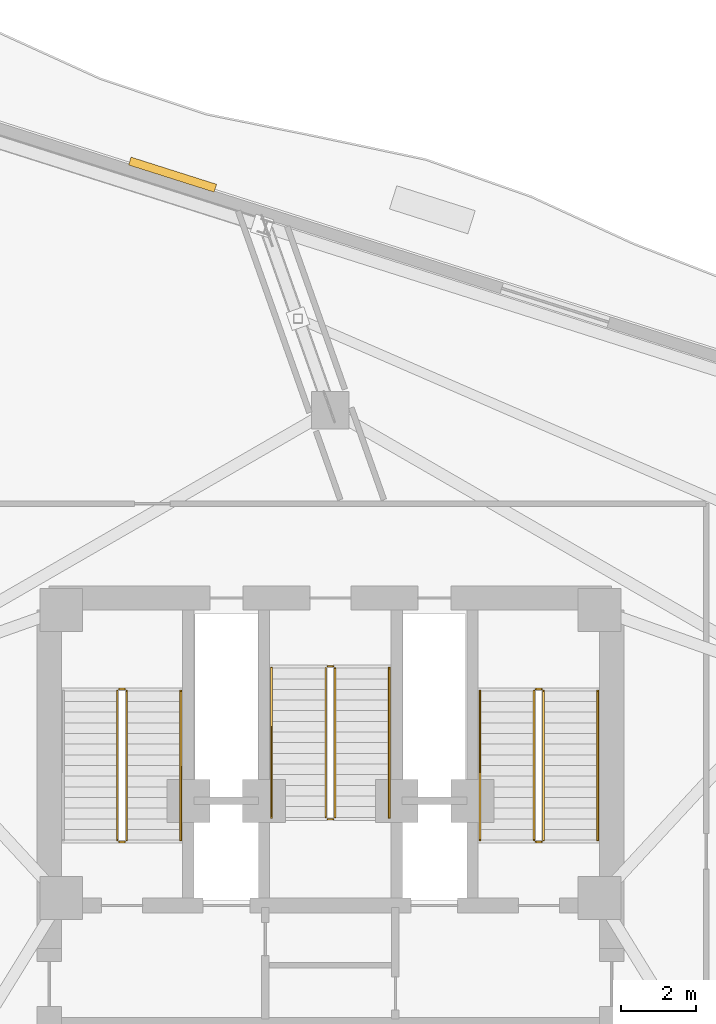
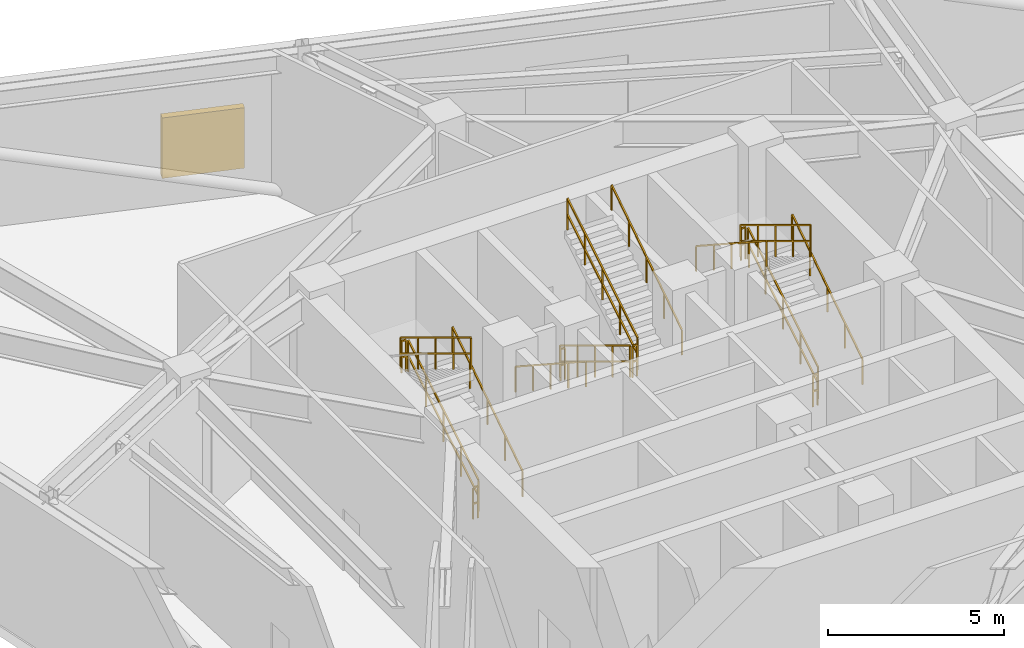
# One storey, part 15 of 16: 17 railings, 1 shading device.
"""IFC4 building model written with IfcOpenShell, lengths in metres."""

from ifc_helpers import new_model, si_unit, direction, frame, origin, origin_2d, place, context, subcontext, project, spatial, rectangle, extrude, material, type_object, element, save


model = new_model("IFC4")

# Units and contexts
model_context = context("Model", 3, precision=1e-05, world=origin(), true_north=direction((0.0, 1.0)))
body_context = subcontext(model_context, "Body", "Model", "MODEL_VIEW")
ifc_project = project(units=[si_unit("LENGTHUNIT", "METRE"), si_unit("AREAUNIT", "SQUARE_METRE"), si_unit("VOLUMEUNIT", "CUBIC_METRE"), si_unit("PLANEANGLEUNIT", "RADIAN"), si_unit("MASSUNIT", "GRAM", prefix="KILO")], contexts=[model_context])

# Site, building, storey
site_placement = place(None, origin())
site = spatial("IfcSite", under=ifc_project, at=site_placement, CompositionType="ELEMENT")
building_placement = place(site_placement, origin())
building = spatial("IfcBuilding", under=site, at=building_placement, Name="Apsidion Concourse Tower", CompositionType="ELEMENT")
storey_placement = place(building_placement, frame((0.0, 0.0, 227.0)))
storey = spatial("IfcBuildingStorey", under=building, at=storey_placement, Name="L53", CompositionType="ELEMENT", Elevation=227.0)

# Railings
ifc_material_1 = material(Name="Brushed stainless steel 316", Category="steel")
railing_type_1 = type_object("IfcRailingType", Name="RL-GUARD-1100", PredefinedType="GUARDRAIL", material=ifc_material_1)
railing_1_placement = place(storey_placement, frame((-5.449951171875, 3.0, 0.17333984375)))
element("IfcRailing", 1, at=railing_1_placement, inside=storey, type_object=railing_type_1, Name="L53 ST1 stair guard 1", PredefinedType="GUARDRAIL", context=body_context, shape_type="SweptSolid", body=[
    extrude(rectangle(XDim=0.048095703125, YDim=0.048095703125, at=origin_2d()), frame((0.0, 0.0, 1.09619140625), z_axis=(0.0, 0.854382233033, 0.519645071061), x_axis=(-1.0, 0.0, 0.0)), (0.0, 0.0, 1.0), 4.669921875),
    extrude(rectangle(XDim=0.048095703125, YDim=0.048095703125, at=origin_2d()), frame((0.0, 0.0, 0.5361328125), z_axis=(0.0, 0.854382233033, 0.519645071061), x_axis=(-1.0, 0.0, 0.0)), (0.0, 0.0, 1.0), 4.669921875),
    extrude(rectangle(XDim=0.0419921875, YDim=0.0419921875, at=origin_2d()), origin(), (0.0, 0.0, 1.0), 1.072021484375),
    extrude(rectangle(XDim=0.0419921875, YDim=0.0419921875, at=origin_2d()), frame((0.0, 0.99755859375, 0.606689453125)), (0.0, 0.0, 1.0), 1.072021484375),
    extrude(rectangle(XDim=0.0419921875, YDim=0.0419921875, at=origin_2d()), frame((0.0, 1.9951171875, 1.21337890625)), (0.0, 0.0, 1.0), 1.072021484375),
    extrude(rectangle(XDim=0.0419921875, YDim=0.0419921875, at=origin_2d()), frame((0.0, 2.992431640625, 1.820068359375)), (0.0, 0.0, 1.0), 1.072021484375),
    extrude(rectangle(XDim=0.0419921875, YDim=0.0419921875, at=origin_2d()), frame((0.0, 3.989990234375, 2.4267578125)), (0.0, 0.0, 1.0), 1.072021484375),
])
railing_2_placement = place(storey_placement, frame((-5.5, 7.0400390625, 2.60009765625)))
element("IfcRailing", 2, at=railing_2_placement, inside=storey, type_object=railing_type_1, Name="L53 ST1 stair guard 2", PredefinedType="GUARDRAIL", context=body_context, shape_type="SweptSolid", body=[
    extrude(rectangle(XDim=0.048095703125, YDim=0.048095703125, at=origin_2d()), frame((0.0, 0.0, 1.09619140625), z_axis=(-1.0, 0.0, 0.0), x_axis=(0.0, -1.0, 0.0)), (0.0, 0.0, 1.0), 0.14990234375),
    extrude(rectangle(XDim=0.048095703125, YDim=0.048095703125, at=origin_2d()), frame((0.0, 0.0, 0.5361328125), z_axis=(-1.0, 0.0, 0.0), x_axis=(0.0, -1.0, 0.0)), (0.0, 0.0, 1.0), 0.14990234375),
    extrude(rectangle(XDim=0.0419921875, YDim=0.0419921875, at=origin_2d()), origin(), (0.0, 0.0, 1.0), 1.072021484375),
    extrude(rectangle(XDim=0.0419921875, YDim=0.0419921875, at=origin_2d()), frame((-0.14990234375, 0.0, 0.0)), (0.0, 0.0, 1.0), 1.072021484375),
])
railing_3_placement = place(storey_placement, frame((-5.699951171875, 6.989990234375, 2.7734375)))
element("IfcRailing", 3, at=railing_3_placement, inside=storey, type_object=railing_type_1, Name="L53 ST1 stair guard 3", PredefinedType="GUARDRAIL", context=body_context, shape_type="SweptSolid", body=[
    extrude(rectangle(XDim=0.048095703125, YDim=0.048095703125, at=origin_2d()), frame((0.0, 0.0, 1.09619140625), z_axis=(0.0, -0.854405443041, 0.519606908058), x_axis=(1.0, 0.0, 0.0)), (0.0, 0.0, 1.0), 4.669921875),
    extrude(rectangle(XDim=0.048095703125, YDim=0.048095703125, at=origin_2d()), frame((0.0, 0.0, 0.5361328125), z_axis=(0.0, -0.854405443041, 0.519606908058), x_axis=(1.0, 0.0, 0.0)), (0.0, 0.0, 1.0), 4.669921875),
    extrude(rectangle(XDim=0.0419921875, YDim=0.0419921875, at=origin_2d()), origin(), (0.0, 0.0, 1.0), 1.072021484375),
    extrude(rectangle(XDim=0.0419921875, YDim=0.0419921875, at=origin_2d()), frame((0.0, -0.99755859375, 0.606689453125)), (0.0, 0.0, 1.0), 1.072021484375),
    extrude(rectangle(XDim=0.0419921875, YDim=0.0419921875, at=origin_2d()), frame((0.0, -1.9951171875, 1.21337890625)), (0.0, 0.0, 1.0), 1.072021484375),
    extrude(rectangle(XDim=0.0419921875, YDim=0.0419921875, at=origin_2d()), frame((0.0, -2.992431640625, 1.81982421875)), (0.0, 0.0, 1.0), 1.072021484375),
    extrude(rectangle(XDim=0.0419921875, YDim=0.0419921875, at=origin_2d()), frame((0.0, -3.989990234375, 2.426513671875)), (0.0, 0.0, 1.0), 1.072021484375),
])
railing_4_placement = place(storey_placement, frame((-5.5, 2.949951171875, 0.0)))
element("IfcRailing", 4, at=railing_4_placement, inside=storey, type_object=railing_type_1, Name="L53 ST1 stair guard 4", PredefinedType="GUARDRAIL", context=body_context, shape_type="SweptSolid", body=[
    extrude(rectangle(XDim=0.048095703125, YDim=0.048095703125, at=origin_2d()), frame((0.0, 0.0, 1.09619140625), z_axis=(-1.0, 0.0, 0.0), x_axis=(0.0, -1.0, 0.0)), (0.0, 0.0, 1.0), 0.14990234375),
    extrude(rectangle(XDim=0.048095703125, YDim=0.048095703125, at=origin_2d()), frame((0.0, 0.0, 0.5361328125), z_axis=(-1.0, 0.0, 0.0), x_axis=(0.0, -1.0, 0.0)), (0.0, 0.0, 1.0), 0.14990234375),
    extrude(rectangle(XDim=0.0419921875, YDim=0.0419921875, at=origin_2d()), origin(), (0.0, 0.0, 1.0), 1.072021484375),
    extrude(rectangle(XDim=0.0419921875, YDim=0.0419921875, at=origin_2d()), frame((-0.14990234375, 0.0, 0.0)), (0.0, 0.0, 1.0), 1.072021484375),
])
railing_5_placement = place(storey_placement, frame((5.699951171875, 3.0, 0.17333984375)))
element("IfcRailing", 5, at=railing_5_placement, inside=storey, type_object=railing_type_1, Name="L53 ST2 stair guard 1", PredefinedType="GUARDRAIL", context=body_context, shape_type="SweptSolid", body=[
    extrude(rectangle(XDim=0.048095703125, YDim=0.048095703125, at=origin_2d()), frame((0.0, 0.0, 1.09619140625), z_axis=(0.0, 0.854382233033, 0.519645071061), x_axis=(-1.0, 0.0, 0.0)), (0.0, 0.0, 1.0), 4.669921875),
    extrude(rectangle(XDim=0.048095703125, YDim=0.048095703125, at=origin_2d()), frame((0.0, 0.0, 0.5361328125), z_axis=(0.0, 0.854382233033, 0.519645071061), x_axis=(-1.0, 0.0, 0.0)), (0.0, 0.0, 1.0), 4.669921875),
    extrude(rectangle(XDim=0.0419921875, YDim=0.0419921875, at=origin_2d()), origin(), (0.0, 0.0, 1.0), 1.072021484375),
    extrude(rectangle(XDim=0.0419921875, YDim=0.0419921875, at=origin_2d()), frame((0.0, 0.99755859375, 0.606689453125)), (0.0, 0.0, 1.0), 1.072021484375),
    extrude(rectangle(XDim=0.0419921875, YDim=0.0419921875, at=origin_2d()), frame((0.0, 1.9951171875, 1.21337890625)), (0.0, 0.0, 1.0), 1.072021484375),
    extrude(rectangle(XDim=0.0419921875, YDim=0.0419921875, at=origin_2d()), frame((0.0, 2.992431640625, 1.820068359375)), (0.0, 0.0, 1.0), 1.072021484375),
    extrude(rectangle(XDim=0.0419921875, YDim=0.0419921875, at=origin_2d()), frame((0.0, 3.989990234375, 2.4267578125)), (0.0, 0.0, 1.0), 1.072021484375),
])
railing_6_placement = place(storey_placement, frame((5.64990234375, 7.0400390625, 2.60009765625)))
element("IfcRailing", 6, at=railing_6_placement, inside=storey, type_object=railing_type_1, Name="L53 ST2 stair guard 2", PredefinedType="GUARDRAIL", context=body_context, shape_type="SweptSolid", body=[
    extrude(rectangle(XDim=0.048095703125, YDim=0.048095703125, at=origin_2d()), frame((0.0, 0.0, 1.09619140625), z_axis=(-1.0, 0.0, 0.0), x_axis=(0.0, -1.0, 0.0)), (0.0, 0.0, 1.0), 0.14990234375),
    extrude(rectangle(XDim=0.048095703125, YDim=0.048095703125, at=origin_2d()), frame((0.0, 0.0, 0.5361328125), z_axis=(-1.0, 0.0, 0.0), x_axis=(0.0, -1.0, 0.0)), (0.0, 0.0, 1.0), 0.14990234375),
    extrude(rectangle(XDim=0.0419921875, YDim=0.0419921875, at=origin_2d()), origin(), (0.0, 0.0, 1.0), 1.072021484375),
    extrude(rectangle(XDim=0.0419921875, YDim=0.0419921875, at=origin_2d()), frame((-0.14990234375, 0.0, 0.0)), (0.0, 0.0, 1.0), 1.072021484375),
])
railing_7_placement = place(storey_placement, frame((5.449951171875, 6.989990234375, 2.7734375)))
element("IfcRailing", 7, at=railing_7_placement, inside=storey, type_object=railing_type_1, Name="L53 ST2 stair guard 3", PredefinedType="GUARDRAIL", context=body_context, shape_type="SweptSolid", body=[
    extrude(rectangle(XDim=0.048095703125, YDim=0.048095703125, at=origin_2d()), frame((0.0, 0.0, 1.09619140625), z_axis=(0.0, -0.854405443041, 0.519606908058), x_axis=(1.0, 0.0, 0.0)), (0.0, 0.0, 1.0), 4.669921875),
    extrude(rectangle(XDim=0.048095703125, YDim=0.048095703125, at=origin_2d()), frame((0.0, 0.0, 0.5361328125), z_axis=(0.0, -0.854405443041, 0.519606908058), x_axis=(1.0, 0.0, 0.0)), (0.0, 0.0, 1.0), 4.669921875),
    extrude(rectangle(XDim=0.0419921875, YDim=0.0419921875, at=origin_2d()), origin(), (0.0, 0.0, 1.0), 1.072021484375),
    extrude(rectangle(XDim=0.0419921875, YDim=0.0419921875, at=origin_2d()), frame((0.0, -0.99755859375, 0.606689453125)), (0.0, 0.0, 1.0), 1.072021484375),
    extrude(rectangle(XDim=0.0419921875, YDim=0.0419921875, at=origin_2d()), frame((0.0, -1.9951171875, 1.21337890625)), (0.0, 0.0, 1.0), 1.072021484375),
    extrude(rectangle(XDim=0.0419921875, YDim=0.0419921875, at=origin_2d()), frame((0.0, -2.992431640625, 1.81982421875)), (0.0, 0.0, 1.0), 1.072021484375),
    extrude(rectangle(XDim=0.0419921875, YDim=0.0419921875, at=origin_2d()), frame((0.0, -3.989990234375, 2.426513671875)), (0.0, 0.0, 1.0), 1.072021484375),
])
railing_8_placement = place(storey_placement, frame((5.64990234375, 2.949951171875, 0.0)))
element("IfcRailing", 8, at=railing_8_placement, inside=storey, type_object=railing_type_1, Name="L53 ST2 stair guard 4", PredefinedType="GUARDRAIL", context=body_context, shape_type="SweptSolid", body=[
    extrude(rectangle(XDim=0.048095703125, YDim=0.048095703125, at=origin_2d()), frame((0.0, 0.0, 1.09619140625), z_axis=(-1.0, 0.0, 0.0), x_axis=(0.0, -1.0, 0.0)), (0.0, 0.0, 1.0), 0.14990234375),
    extrude(rectangle(XDim=0.048095703125, YDim=0.048095703125, at=origin_2d()), frame((0.0, 0.0, 0.5361328125), z_axis=(-1.0, 0.0, 0.0), x_axis=(0.0, -1.0, 0.0)), (0.0, 0.0, 1.0), 0.14990234375),
    extrude(rectangle(XDim=0.0419921875, YDim=0.0419921875, at=origin_2d()), origin(), (0.0, 0.0, 1.0), 1.072021484375),
    extrude(rectangle(XDim=0.0419921875, YDim=0.0419921875, at=origin_2d()), frame((-0.14990234375, 0.0, 0.0)), (0.0, 0.0, 1.0), 1.072021484375),
])
railing_9_placement = place(storey_placement, frame((-0.125, 7.60009765625, 0.17333984375)))
element("IfcRailing", 9, at=railing_9_placement, inside=storey, type_object=railing_type_1, Name="L53 ST3 stair guard 1", PredefinedType="GUARDRAIL", context=body_context, shape_type="SweptSolid", body=[
    extrude(rectangle(XDim=0.048095703125, YDim=0.048095703125, at=origin_2d()), frame((0.0, 0.0, 1.09619140625), z_axis=(0.0, -0.854382233033, 0.519645071061), x_axis=(1.0, 0.0, 0.0)), (0.0, 0.0, 1.0), 4.669921875),
    extrude(rectangle(XDim=0.048095703125, YDim=0.048095703125, at=origin_2d()), frame((0.0, 0.0, 0.5361328125), z_axis=(0.0, -0.854382233033, 0.519645071061), x_axis=(1.0, 0.0, 0.0)), (0.0, 0.0, 1.0), 4.669921875),
    extrude(rectangle(XDim=0.0419921875, YDim=0.0419921875, at=origin_2d()), origin(), (0.0, 0.0, 1.0), 1.072021484375),
    extrude(rectangle(XDim=0.0419921875, YDim=0.0419921875, at=origin_2d()), frame((0.0, -0.99755859375, 0.606689453125)), (0.0, 0.0, 1.0), 1.072021484375),
    extrude(rectangle(XDim=0.0419921875, YDim=0.0419921875, at=origin_2d()), frame((0.0, -1.9951171875, 1.21337890625)), (0.0, 0.0, 1.0), 1.072021484375),
    extrude(rectangle(XDim=0.0419921875, YDim=0.0419921875, at=origin_2d()), frame((0.0, -2.992431640625, 1.820068359375)), (0.0, 0.0, 1.0), 1.072021484375),
    extrude(rectangle(XDim=0.0419921875, YDim=0.0419921875, at=origin_2d()), frame((0.0, -3.989990234375, 2.4267578125)), (0.0, 0.0, 1.0), 1.072021484375),
])
railing_10_placement = place(storey_placement, frame((-0.074951171875, 3.56005859375, 2.60009765625)))
element("IfcRailing", 10, at=railing_10_placement, inside=storey, type_object=railing_type_1, Name="L53 ST3 stair guard 2", PredefinedType="GUARDRAIL", context=body_context, shape_type="SweptSolid", body=[
    extrude(rectangle(XDim=0.048095703125, YDim=0.048095703125, at=origin_2d()), frame((0.0, 0.0, 1.09619140625), z_axis=(1.0, 0.0, 0.0), x_axis=(0.0, 1.0, 0.0)), (0.0, 0.0, 1.0), 0.14990234375),
    extrude(rectangle(XDim=0.048095703125, YDim=0.048095703125, at=origin_2d()), frame((0.0, 0.0, 0.5361328125), z_axis=(1.0, 0.0, 0.0), x_axis=(0.0, 1.0, 0.0)), (0.0, 0.0, 1.0), 0.14990234375),
    extrude(rectangle(XDim=0.0419921875, YDim=0.0419921875, at=origin_2d()), origin(), (0.0, 0.0, 1.0), 1.072021484375),
    extrude(rectangle(XDim=0.0419921875, YDim=0.0419921875, at=origin_2d()), frame((0.14990234375, 0.0, 0.0)), (0.0, 0.0, 1.0), 1.072021484375),
])
railing_11_placement = place(storey_placement, frame((0.125, 3.610107421875, 2.7734375)))
element("IfcRailing", 11, at=railing_11_placement, inside=storey, type_object=railing_type_1, Name="L53 ST3 stair guard 3", PredefinedType="GUARDRAIL", context=body_context, shape_type="SweptSolid", body=[
    extrude(rectangle(XDim=0.048095703125, YDim=0.048095703125, at=origin_2d()), frame((0.0, 0.0, 1.09619140625), z_axis=(0.0, 0.854405443041, 0.519606908058), x_axis=(-1.0, 0.0, 0.0)), (0.0, 0.0, 1.0), 4.669921875),
    extrude(rectangle(XDim=0.048095703125, YDim=0.048095703125, at=origin_2d()), frame((0.0, 0.0, 0.5361328125), z_axis=(0.0, 0.854405443041, 0.519606908058), x_axis=(-1.0, 0.0, 0.0)), (0.0, 0.0, 1.0), 4.669921875),
    extrude(rectangle(XDim=0.0419921875, YDim=0.0419921875, at=origin_2d()), origin(), (0.0, 0.0, 1.0), 1.072021484375),
    extrude(rectangle(XDim=0.0419921875, YDim=0.0419921875, at=origin_2d()), frame((0.0, 0.99755859375, 0.606689453125)), (0.0, 0.0, 1.0), 1.072021484375),
    extrude(rectangle(XDim=0.0419921875, YDim=0.0419921875, at=origin_2d()), frame((0.0, 1.9951171875, 1.21337890625)), (0.0, 0.0, 1.0), 1.072021484375),
    extrude(rectangle(XDim=0.0419921875, YDim=0.0419921875, at=origin_2d()), frame((0.0, 2.992431640625, 1.81982421875)), (0.0, 0.0, 1.0), 1.072021484375),
    extrude(rectangle(XDim=0.0419921875, YDim=0.0419921875, at=origin_2d()), frame((0.0, 3.989990234375, 2.426513671875)), (0.0, 0.0, 1.0), 1.072021484375),
])
railing_12_placement = place(storey_placement, frame((-0.074951171875, 7.64990234375, 0.0)))
element("IfcRailing", 12, at=railing_12_placement, inside=storey, type_object=railing_type_1, Name="L53 ST3 stair guard 4", PredefinedType="GUARDRAIL", context=body_context, shape_type="SweptSolid", body=[
    extrude(rectangle(XDim=0.048095703125, YDim=0.048095703125, at=origin_2d()), frame((0.0, 0.0, 1.09619140625), z_axis=(1.0, 0.0, 0.0), x_axis=(0.0, 1.0, 0.0)), (0.0, 0.0, 1.0), 0.14990234375),
    extrude(rectangle(XDim=0.048095703125, YDim=0.048095703125, at=origin_2d()), frame((0.0, 0.0, 0.5361328125), z_axis=(1.0, 0.0, 0.0), x_axis=(0.0, 1.0, 0.0)), (0.0, 0.0, 1.0), 0.14990234375),
    extrude(rectangle(XDim=0.0419921875, YDim=0.0419921875, at=origin_2d()), origin(), (0.0, 0.0, 1.0), 1.072021484375),
    extrude(rectangle(XDim=0.0419921875, YDim=0.0419921875, at=origin_2d()), frame((0.14990234375, 0.0, 0.0)), (0.0, 0.0, 1.0), 1.072021484375),
])
railing_type_2 = type_object("IfcRailingType", Name="RL-HAND-900", PredefinedType="HANDRAIL", material=ifc_material_1)
for number, where, name in (
    (13, (-4.0, 3.0, 0.17333984375), "L53 ST1 stair handrail 1"),
    (14, (7.14990234375, 3.0, 0.17333984375), "L53 ST2 stair handrail 1"),
):
    element("IfcRailing", number, at=place(storey_placement, frame(where)), inside=storey, type_object=railing_type_2, Name=name, PredefinedType="HANDRAIL", context=body_context, shape_type="SweptSolid", body=[
        extrude(rectangle(XDim=0.048095703125, YDim=0.048095703125, at=origin_2d()), frame((0.0, 0.0, 0.8759765625), z_axis=(0.0, 0.83780941074, 0.545962811257), x_axis=(-1.0, 0.0, 0.0)), (0.0, 0.0, 1.0), 4.762451171875),
        extrude(rectangle(XDim=0.0419921875, YDim=0.0419921875, at=origin_2d()), origin(), (0.0, 0.0, 1.0), 0.851806640625),
        extrude(rectangle(XDim=0.0419921875, YDim=0.0419921875, at=origin_2d()), frame((0.0, 0.99755859375, 0.64990234375)), (0.0, 0.0, 1.0), 0.851806640625),
        extrude(rectangle(XDim=0.0419921875, YDim=0.0419921875, at=origin_2d()), frame((0.0, 1.9951171875, 1.300048828125)), (0.0, 0.0, 1.0), 0.851806640625),
        extrude(rectangle(XDim=0.0419921875, YDim=0.0419921875, at=origin_2d()), frame((0.0, 2.992431640625, 1.9501953125)), (0.0, 0.0, 1.0), 0.851806640625),
        extrude(rectangle(XDim=0.0419921875, YDim=0.0419921875, at=origin_2d()), frame((0.0, 3.989990234375, 2.60009765625)), (0.0, 0.0, 1.0), 0.851806640625),
    ])
railing_13_placement = place(storey_placement, frame((4.0, 6.989990234375, 2.7734375)))
element("IfcRailing", 15, at=railing_13_placement, inside=storey, type_object=railing_type_2, Name="L53 ST2 stair handrail 2", PredefinedType="HANDRAIL", context=body_context, shape_type="SweptSolid", body=[
    extrude(rectangle(XDim=0.048095703125, YDim=0.048095703125, at=origin_2d()), frame((0.0, 0.0, 0.8759765625), z_axis=(0.0, -0.837832859484, 0.545926826204), x_axis=(1.0, 0.0, 0.0)), (0.0, 0.0, 1.0), 4.76220703125),
    extrude(rectangle(XDim=0.0419921875, YDim=0.0419921875, at=origin_2d()), origin(), (0.0, 0.0, 1.0), 0.851806640625),
    extrude(rectangle(XDim=0.0419921875, YDim=0.0419921875, at=origin_2d()), frame((0.0, -0.99755859375, 0.64990234375)), (0.0, 0.0, 1.0), 0.851806640625),
    extrude(rectangle(XDim=0.0419921875, YDim=0.0419921875, at=origin_2d()), frame((0.0, -1.9951171875, 1.2998046875)), (0.0, 0.0, 1.0), 0.851806640625),
    extrude(rectangle(XDim=0.0419921875, YDim=0.0419921875, at=origin_2d()), frame((0.0, -2.992431640625, 1.949951171875)), (0.0, 0.0, 1.0), 0.851806640625),
    extrude(rectangle(XDim=0.0419921875, YDim=0.0419921875, at=origin_2d()), frame((0.0, -3.989990234375, 2.599853515625)), (0.0, 0.0, 1.0), 0.851806640625),
])
railing_14_placement = place(storey_placement, frame((-1.574951171875, 7.60009765625, 0.17333984375)))
element("IfcRailing", 16, at=railing_14_placement, inside=storey, type_object=railing_type_2, Name="L53 ST3 stair handrail 1", PredefinedType="HANDRAIL", context=body_context, shape_type="SweptSolid", body=[
    extrude(rectangle(XDim=0.048095703125, YDim=0.048095703125, at=origin_2d()), frame((0.0, 0.0, 0.8759765625), z_axis=(0.0, -0.83780941074, 0.545962811257), x_axis=(1.0, 0.0, 0.0)), (0.0, 0.0, 1.0), 4.762451171875),
    extrude(rectangle(XDim=0.0419921875, YDim=0.0419921875, at=origin_2d()), origin(), (0.0, 0.0, 1.0), 0.851806640625),
    extrude(rectangle(XDim=0.0419921875, YDim=0.0419921875, at=origin_2d()), frame((0.0, -0.99755859375, 0.64990234375)), (0.0, 0.0, 1.0), 0.851806640625),
    extrude(rectangle(XDim=0.0419921875, YDim=0.0419921875, at=origin_2d()), frame((0.0, -1.9951171875, 1.300048828125)), (0.0, 0.0, 1.0), 0.851806640625),
    extrude(rectangle(XDim=0.0419921875, YDim=0.0419921875, at=origin_2d()), frame((0.0, -2.992431640625, 1.9501953125)), (0.0, 0.0, 1.0), 0.851806640625),
    extrude(rectangle(XDim=0.0419921875, YDim=0.0419921875, at=origin_2d()), frame((0.0, -3.989990234375, 2.60009765625)), (0.0, 0.0, 1.0), 0.851806640625),
])
railing_15_placement = place(storey_placement, frame((1.574951171875, 3.610107421875, 2.7734375)))
element("IfcRailing", 17, at=railing_15_placement, inside=storey, type_object=railing_type_2, Name="L53 ST3 stair handrail 2", PredefinedType="HANDRAIL", context=body_context, shape_type="SweptSolid", body=[
    extrude(rectangle(XDim=0.048095703125, YDim=0.048095703125, at=origin_2d()), frame((0.0, 0.0, 0.8759765625), z_axis=(0.0, 0.837832859484, 0.545926826204), x_axis=(-1.0, 0.0, 0.0)), (0.0, 0.0, 1.0), 4.76220703125),
    extrude(rectangle(XDim=0.0419921875, YDim=0.0419921875, at=origin_2d()), origin(), (0.0, 0.0, 1.0), 0.851806640625),
    extrude(rectangle(XDim=0.0419921875, YDim=0.0419921875, at=origin_2d()), frame((0.0, 0.99755859375, 0.64990234375)), (0.0, 0.0, 1.0), 0.851806640625),
    extrude(rectangle(XDim=0.0419921875, YDim=0.0419921875, at=origin_2d()), frame((0.0, 1.9951171875, 1.2998046875)), (0.0, 0.0, 1.0), 0.851806640625),
    extrude(rectangle(XDim=0.0419921875, YDim=0.0419921875, at=origin_2d()), frame((0.0, 2.992431640625, 1.949951171875)), (0.0, 0.0, 1.0), 0.851806640625),
    extrude(rectangle(XDim=0.0419921875, YDim=0.0419921875, at=origin_2d()), frame((0.0, 3.989990234375, 2.599853515625)), (0.0, 0.0, 1.0), 0.851806640625),
])

# Shading device
ifc_material_2 = material(Name="Anodised aluminium EN AW-6063 T6", Category="aluminium")
shading_device_type = type_object("IfcShadingDeviceType", Name="SH-LOUVRE-AL", PredefinedType="JALOUSIE", material=ifc_material_2)
shading_device_placement = place(storey_placement, frame((-4.222412109375, 20.80126953125, 0.75), z_axis=(0.0, 0.0, 1.0), x_axis=(0.95308506272, -0.302702598633, 0.0)))
element("IfcShadingDevice", 18, at=shading_device_placement, inside=storey, type_object=shading_device_type, Name="L53 Plant Acoustic Louvre Bank 1-1", PredefinedType="JALOUSIE", context=body_context, shape_type="SweptSolid", body=[
    extrude(rectangle(XDim=2.39990234375, YDim=0.219970703125, at=origin_2d()), origin(), (0.0, 0.0, 1.0), 2.10009765625),
])

save(model, "model.ifc")
